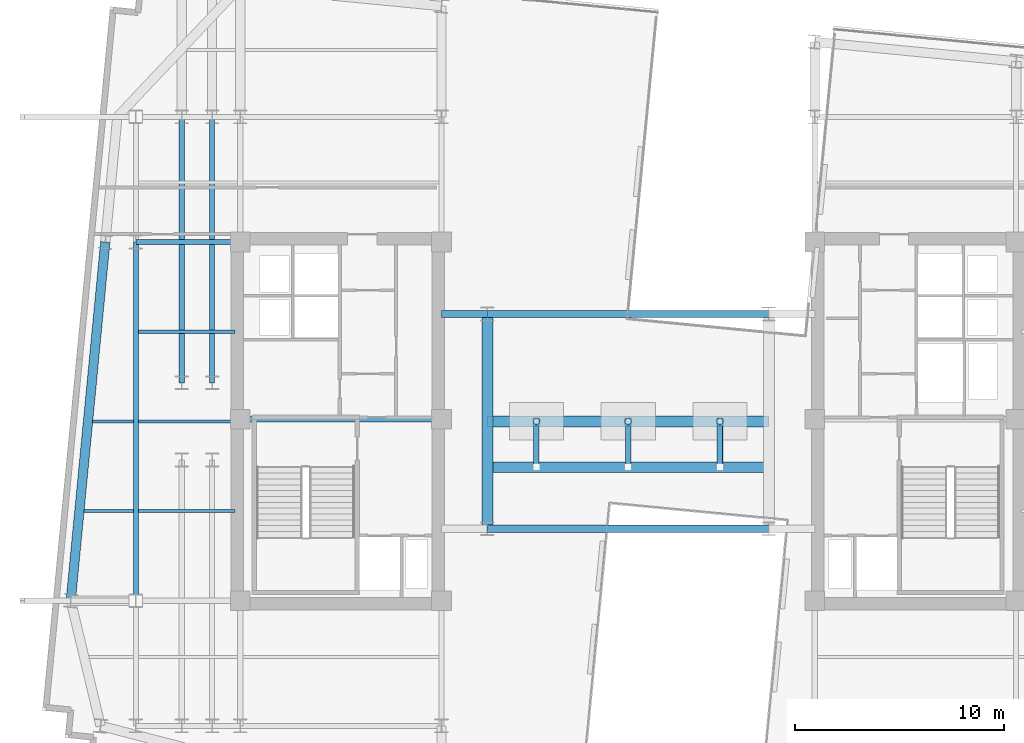
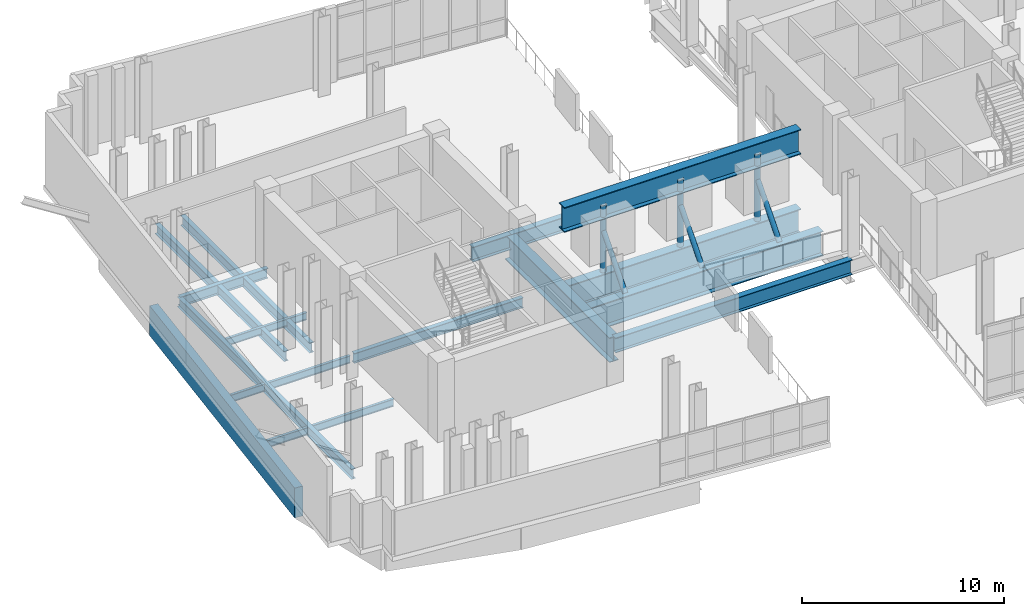
# One storey, part 3 of 16: 18 beams, 6 members.
"""IFC4 building model written with IfcOpenShell, lengths in metres."""

from ifc_helpers import new_model, si_unit, direction, frame, origin, origin_2d, place, context, subcontext, project, spatial, rectangle, hollow_circle, i_section, extrude, material, material_profile, profile_set, type_object, element, save


model = new_model("IFC4")

# Units and contexts
model_context = context("Model", 3, precision=1e-05, world=origin(), true_north=direction((0.0, 1.0)))
body_context = subcontext(model_context, "Body", "Model", "MODEL_VIEW")
ifc_project = project(units=[si_unit("LENGTHUNIT", "METRE"), si_unit("AREAUNIT", "SQUARE_METRE"), si_unit("VOLUMEUNIT", "CUBIC_METRE"), si_unit("PLANEANGLEUNIT", "RADIAN"), si_unit("MASSUNIT", "GRAM", prefix="KILO")], contexts=[model_context])

# Site, building, storey
site_placement = place(None, origin())
site = spatial("IfcSite", under=ifc_project, at=site_placement, CompositionType="ELEMENT")
building_placement = place(site_placement, origin())
building = spatial("IfcBuilding", under=site, at=building_placement, Name="Velakula Bourse", CompositionType="ELEMENT")
storey_placement = place(building_placement, frame((0.0, 0.0, 199.5)))
storey = spatial("IfcBuildingStorey", under=building, at=storey_placement, Name="L54", CompositionType="ELEMENT", Elevation=199.5)

# Beams
ifc_material_1 = material(Name="Steel IS 2062 Grade 350 (E350)", Category="steel")
ifc_material_profile_1 = material_profile(ifc_material_1, i_section(OverallWidth=0.25, OverallDepth=0.60009765625, WebThickness=0.01123046875, FlangeThickness=0.021240234375, at=origin_2d()), Name="Steel IS 2062 Grade 350 (E350)")
ifc_profile_set_1 = profile_set([ifc_material_profile_1], Name="Steel IS 2062 Grade 350 (E350)")
beam_type_1 = type_object("IfcBeamType", Name="BM-GRD-600M", PredefinedType="BEAM", material=ifc_profile_set_1)
beam_1_placement = place(storey_placement, frame((-18.60009765625, 0.10009765625, -0.580078125), z_axis=(1.0, 0.0, 0.0), x_axis=(0.0, 1.0, 0.0)))
element("IfcBeam", 1, at=beam_1_placement, inside=storey, type_object=beam_type_1, Name="L54 Primary Backbone Girder CRW-M", PredefinedType="BEAM", context=body_context, shape_type="SweptSolid", body=[
    extrude(i_section(OverallWidth=0.25, OverallDepth=0.60009765625, WebThickness=0.01123046875, FlangeThickness=0.021240234375, at=origin_2d()), origin(), (0.0, 0.0, 1.0), 9.650146484375),
])
for number, where, z_axis, x_axis, name in (
    (2, (-21.39990234375, 1.85009765625, -0.580078125), (0.0, 1.0, 0.0), (-1.0, 0.0, 0.0), "L54 Fulcrum Grid Girder FLC-PNW1"),
    (3, (-19.949951171875, 1.85009765625, -0.580078125), (0.0, 1.0, 0.0), (-1.0, 0.0, 0.0), "L54 Fulcrum Grid Girder FLC-PNW2"),
):
    element("IfcBeam", number, at=place(storey_placement, frame(where, z_axis=z_axis, x_axis=x_axis)), inside=storey, type_object=beam_type_1, Name=name, PredefinedType="BEAM", context=body_context, shape_type="SweptSolid", body=[
        extrude(i_section(OverallWidth=0.25, OverallDepth=0.60009765625, WebThickness=0.01123046875, FlangeThickness=0.021240234375, at=origin_2d()), origin(), (0.0, 0.0, 1.0), 12.75),
    ])
beam_2_placement = place(storey_placement, frame((-23.60009765625, 8.60009765625, -0.580078125), z_axis=(1.0, 0.0, 0.0), x_axis=(0.0, 1.0, 0.0)))
element("IfcBeam", 4, at=beam_2_placement, inside=storey, type_object=beam_type_1, Name="L54 Fulcrum Grid Girder MWG-WN1", PredefinedType="BEAM", context=body_context, shape_type="SweptSolid", body=[
    extrude(i_section(OverallWidth=0.25, OverallDepth=0.60009765625, WebThickness=0.01123046875, FlangeThickness=0.021240234375, at=origin_2d()), origin(), (0.0, 0.0, 1.0), 5.0),
])
beam_3_placement = place(storey_placement, frame((-23.60009765625, -8.60009765625, -0.580078125), z_axis=(0.0, 1.0, 0.0), x_axis=(-1.0, 0.0, 0.0)))
element("IfcBeam", 5, at=beam_3_placement, inside=storey, type_object=beam_type_1, Name="L54 Fulcrum Grid Girder MWG-WNS2", PredefinedType="BEAM", context=body_context, shape_type="SweptSolid", body=[
    extrude(i_section(OverallWidth=0.25, OverallDepth=0.60009765625, WebThickness=0.01123046875, FlangeThickness=0.021240234375, at=origin_2d()), origin(), (0.0, 0.0, 1.0), 17.2001953125),
])
ifc_material_profile_2 = material_profile(ifc_material_1, i_section(OverallWidth=0.35009765625, OverallDepth=0.89990234375, WebThickness=0.02001953125, FlangeThickness=0.031982421875, at=origin_2d()), Name="Steel IS 2062 Grade 350 (E350)")
ifc_profile_set_2 = profile_set([ifc_material_profile_2], Name="Steel IS 2062 Grade 350 (E350)")
beam_type_2 = type_object("IfcBeamType", Name="BM-LNK-900", PredefinedType="BEAM", material=ifc_profile_set_2)
beam_4_placement = place(storey_placement, frame((-6.75, -5.14990234375, -0.72998046875), z_axis=(1.0, 0.0, 0.0), x_axis=(0.0, 1.0, 0.0)))
element("IfcBeam", 6, at=beam_4_placement, inside=storey, type_object=beam_type_2, Name="L54 Primary Backbone Girder LNK-S2", PredefinedType="BEAM", context=body_context, shape_type="SweptSolid", body=[
    extrude(i_section(OverallWidth=0.35009765625, OverallDepth=0.89990234375, WebThickness=0.02001953125, FlangeThickness=0.031982421875, at=origin_2d()), origin(), (0.0, 0.0, 1.0), 13.5),
])
beam_5_placement = place(storey_placement, frame((-8.949951171875, 5.14990234375, -0.72998046875), z_axis=(1.0, 0.0, 0.0), x_axis=(0.0, 1.0, 0.0)))
element("IfcBeam", 7, at=beam_5_placement, inside=storey, type_object=beam_type_2, Name="L54 Primary Backbone Girder LNK-N1", PredefinedType="BEAM", context=body_context, shape_type="SweptSolid", body=[
    extrude(i_section(OverallWidth=0.35009765625, OverallDepth=0.89990234375, WebThickness=0.02001953125, FlangeThickness=0.031982421875, at=origin_2d()), origin(), (0.0, 0.0, 1.0), 2.199951171875),
])
beam_6_placement = place(storey_placement, frame((-6.75, 5.14990234375, -0.72998046875), z_axis=(1.0, 0.0, 0.0), x_axis=(0.0, 1.0, 0.0)))
element("IfcBeam", 8, at=beam_6_placement, inside=storey, type_object=beam_type_2, Name="L54 Primary Backbone Girder LNK-N2", PredefinedType="BEAM", context=body_context, shape_type="SweptSolid", body=[
    extrude(i_section(OverallWidth=0.35009765625, OverallDepth=0.89990234375, WebThickness=0.02001953125, FlangeThickness=0.031982421875, at=origin_2d()), origin(), (0.0, 0.0, 1.0), 13.5),
])

# Members
ifc_material_profile_3 = material_profile(ifc_material_1, hollow_circle(Radius=0.136474609375, WallThickness=0.013916015625, at=origin_2d()), Name="Steel IS 2062 Grade 350 (E350)")
ifc_profile_set_3 = profile_set([ifc_material_profile_3], Name="Steel IS 2062 Grade 350 (E350)")
member_type_1 = type_object("IfcMemberType", Name="BR-TRB-273", PredefinedType="BRACE", material=ifc_profile_set_3)
for number, where, z_axis, x_axis, name in (
    (9, (-4.39990234375, -2.199951171875, -0.280029296875), (0.0, 0.654689860171, 0.755897603508), (-1.0, 0.0, 0.0), "L54 Wind-Turbine 1 Aerodynamic Stator Strut"),
    (10, (0.0, -2.199951171875, -0.280029296875), (0.0, 0.654689860171, 0.755897603508), (-1.0, 0.0, 0.0), "L54 Wind-Turbine 2 Aerodynamic Stator Strut"),
    (11, (4.39990234375, -2.199951171875, -0.280029296875), (0.0, 0.654689860171, 0.755897603508), (-1.0, 0.0, 0.0), "L54 Wind-Turbine 3 Aerodynamic Stator Strut"),
):
    element("IfcMember", number, at=place(storey_placement, frame(where, z_axis=z_axis, x_axis=x_axis)), inside=storey, type_object=member_type_1, Name=name, PredefinedType="BRACE", context=body_context, shape_type="SweptSolid", body=[
        extrude(hollow_circle(Radius=0.136474609375, WallThickness=0.013916015625, at=origin_2d()), origin(), (0.0, 0.0, 1.0), 3.3603515625),
    ])
ifc_material_profile_4 = material_profile(ifc_material_1, hollow_circle(Radius=0.161865234375, WallThickness=0.01611328125, at=origin_2d()), Name="Steel IS 2062 Grade 350 (E350)")
ifc_profile_set_4 = profile_set([ifc_material_profile_4], Name="Steel IS 2062 Grade 350 (E350)")
member_type_2 = type_object("IfcMemberType", Name="BR-TRB-324", PredefinedType="BRACE", material=ifc_profile_set_4)
for number, where, z_axis, x_axis, name in (
    (12, (-4.39990234375, 0.0, -0.280029296875), (0.0, 0.0, 1.0), (1.0, 0.0, 0.0), "L54 Wind-Turbine 1 Vertical Stator Post"),
    (13, (0.0, 0.0, -0.280029296875), (0.0, 0.0, 1.0), (1.0, 0.0, 0.0), "L54 Wind-Turbine 2 Vertical Stator Post"),
    (14, (4.39990234375, 0.0, -0.280029296875), (0.0, 0.0, 1.0), (1.0, 0.0, 0.0), "L54 Wind-Turbine 3 Vertical Stator Post"),
):
    element("IfcMember", number, at=place(storey_placement, frame(where, z_axis=z_axis, x_axis=x_axis)), inside=storey, type_object=member_type_2, Name=name, PredefinedType="BRACE", context=body_context, shape_type="SweptSolid", body=[
        extrude(hollow_circle(Radius=0.161865234375, WallThickness=0.01611328125, at=origin_2d()), origin(), (0.0, 0.0, 1.0), 4.050048828125),
    ])

# Beams
ifc_material_profile_5 = material_profile(ifc_material_1, i_section(OverallWidth=0.14990234375, OverallDepth=0.449951171875, WebThickness=0.009521484375, FlangeThickness=0.017333984375, at=origin_2d()), Name="Steel IS 2062 Grade 350 (E350)")
ifc_profile_set_5 = profile_set([ifc_material_profile_5], Name="Steel IS 2062 Grade 350 (E350)")
beam_type_3 = type_object("IfcBeamType", Name="JST-TWR-450", PredefinedType="JOIST", material=ifc_profile_set_5)
beam_7_placement = place(storey_placement, frame((-26.084228515625, -4.300048828125, -0.5048828125), z_axis=(1.0, 0.0, 0.0), x_axis=(0.0, 1.0, 0.0)))
element("IfcBeam", 15, at=beam_7_placement, inside=storey, type_object=beam_type_3, Name="L54 Trading Floor Composite Joist 17", PredefinedType="JOIST", context=body_context, shape_type="SweptSolid", body=[
    extrude(i_section(OverallWidth=0.14990234375, OverallDepth=0.449951171875, WebThickness=0.009521484375, FlangeThickness=0.017333984375, at=origin_2d()), origin(), (0.0, 0.0, 1.0), 2.359130859375),
])
beam_8_placement = place(storey_placement, frame((-23.47509765625, -4.300048828125, -0.5048828125), z_axis=(1.0, 0.0, 0.0), x_axis=(0.0, 1.0, 0.0)))
element("IfcBeam", 16, at=beam_8_placement, inside=storey, type_object=beam_type_3, Name="L54 Trading Floor Composite Joist 18", PredefinedType="JOIST", context=body_context, shape_type="SweptSolid", body=[
    extrude(i_section(OverallWidth=0.14990234375, OverallDepth=0.449951171875, WebThickness=0.009521484375, FlangeThickness=0.017333984375, at=origin_2d()), origin(), (0.0, 0.0, 1.0), 4.625),
])
beam_9_placement = place(storey_placement, frame((-25.67041015625, 0.0, -0.5048828125), z_axis=(1.0, 0.0, 0.0), x_axis=(0.0, 1.0, 0.0)))
element("IfcBeam", 17, at=beam_9_placement, inside=storey, type_object=beam_type_3, Name="L54 Trading Floor Composite Joist 21", PredefinedType="JOIST", context=body_context, shape_type="SweptSolid", body=[
    extrude(i_section(OverallWidth=0.14990234375, OverallDepth=0.449951171875, WebThickness=0.009521484375, FlangeThickness=0.017333984375, at=origin_2d()), origin(), (0.0, 0.0, 1.0), 1.9453125),
])
for number, where, z_axis, x_axis, name in (
    (18, (-23.47509765625, 0.0, -0.5048828125), (1.0, 0.0, 0.0), (0.0, 1.0, 0.0), "L54 Trading Floor Composite Joist 22"),
    (19, (-23.47509765625, 4.300048828125, -0.5048828125), (1.0, 0.0, 0.0), (0.0, 1.0, 0.0), "L54 Trading Floor Composite Joist 25"),
):
    element("IfcBeam", number, at=place(storey_placement, frame(where, z_axis=z_axis, x_axis=x_axis)), inside=storey, type_object=beam_type_3, Name=name, PredefinedType="JOIST", context=body_context, shape_type="SweptSolid", body=[
        extrude(i_section(OverallWidth=0.14990234375, OverallDepth=0.449951171875, WebThickness=0.009521484375, FlangeThickness=0.017333984375, at=origin_2d()), origin(), (0.0, 0.0, 1.0), 4.625),
    ])
ifc_material_2 = material(Name="Concrete M50 (fck 50 MPa)", Category="concrete")
ifc_material_profile_6 = material_profile(ifc_material_2, rectangle(XDim=0.449951171875, YDim=1.800048828125, at=origin_2d()), Name="Concrete M50 (fck 50 MPa)")
ifc_profile_set_6 = profile_set([ifc_material_profile_6], Name="Concrete M50 (fck 50 MPa)")
beam_type_4 = type_object("IfcBeamType", Name="SPN-TRF-1800", PredefinedType="SPANDREL", material=ifc_profile_set_6)
beam_10_placement = place(storey_placement, frame((-26.724365234375, -8.60009765625, -1.179931640625), z_axis=(0.095849167925, 0.995395869495, 0.0), x_axis=(-0.995395869495, 0.095849167925, 0.0)))
element("IfcBeam", 20, at=beam_10_placement, inside=storey, type_object=beam_type_4, Name="L54 Brick-Faced Precast Spandrel W2-W3", PredefinedType="SPANDREL", context=body_context, shape_type="SweptSolid", body=[
    extrude(rectangle(XDim=0.449951171875, YDim=1.800048828125, at=origin_2d()), origin(), (0.0, 0.0, 1.0), 17.27978515625),
])
ifc_material_3 = material(Name="Steel IS 2062 Grade 450 (E450)", Category="steel")
ifc_material_profile_7 = material_profile(ifc_material_3, i_section(OverallWidth=0.52001953125, OverallDepth=1.5, WebThickness=0.030029296875, FlangeThickness=0.048095703125, at=origin_2d()), Name="Steel IS 2062 Grade 450 (E450)")
ifc_profile_set_7 = profile_set([ifc_material_profile_7], Name="Steel IS 2062 Grade 450 (E450)")
beam_type_5 = type_object("IfcBeamType", Name="TB-CANT-1500", PredefinedType="BEAM", material=ifc_profile_set_7)
beam_11_placement = place(storey_placement, frame((-6.75, -5.14990234375, -1.030029296875), z_axis=(0.0, 1.0, 0.0), x_axis=(-1.0, 0.0, 0.0)))
element("IfcBeam", 21, at=beam_11_placement, inside=storey, type_object=beam_type_5, Name="L54 Primary Backbone Girder SPN-W", PredefinedType="BEAM", context=body_context, shape_type="SweptSolid", body=[
    extrude(i_section(OverallWidth=0.52001953125, OverallDepth=1.5, WebThickness=0.030029296875, FlangeThickness=0.048095703125, at=origin_2d()), origin(), (0.0, 0.0, 1.0), 10.2998046875),
])
for number, where, z_axis, x_axis, name in (
    (22, (-6.75, 0.0, -1.030029296875), (1.0, 0.0, 0.0), (0.0, 1.0, 0.0), "L54 Wind-Turbine Venturi Lower Support Gantry Girder"),
    (23, (-6.75, -2.199951171875, -1.030029296875), (1.0, 0.0, 0.0), (0.0, 1.0, 0.0), "L54 Wind-Turbine Stator Reaction Gantry Girder"),
    (24, (-6.75, 0.0, 3.77001953125), (1.0, 0.0, 0.0), (0.0, 1.0, 0.0), "L54 Wind-Turbine Venturi Upper Support Gantry Girder"),
):
    element("IfcBeam", number, at=place(storey_placement, frame(where, z_axis=z_axis, x_axis=x_axis)), inside=storey, type_object=beam_type_5, Name=name, PredefinedType="BEAM", context=body_context, shape_type="SweptSolid", body=[
        extrude(i_section(OverallWidth=0.52001953125, OverallDepth=1.5, WebThickness=0.030029296875, FlangeThickness=0.048095703125, at=origin_2d()), origin(), (0.0, 0.0, 1.0), 13.5),
    ])

save(model, "model.ifc")
